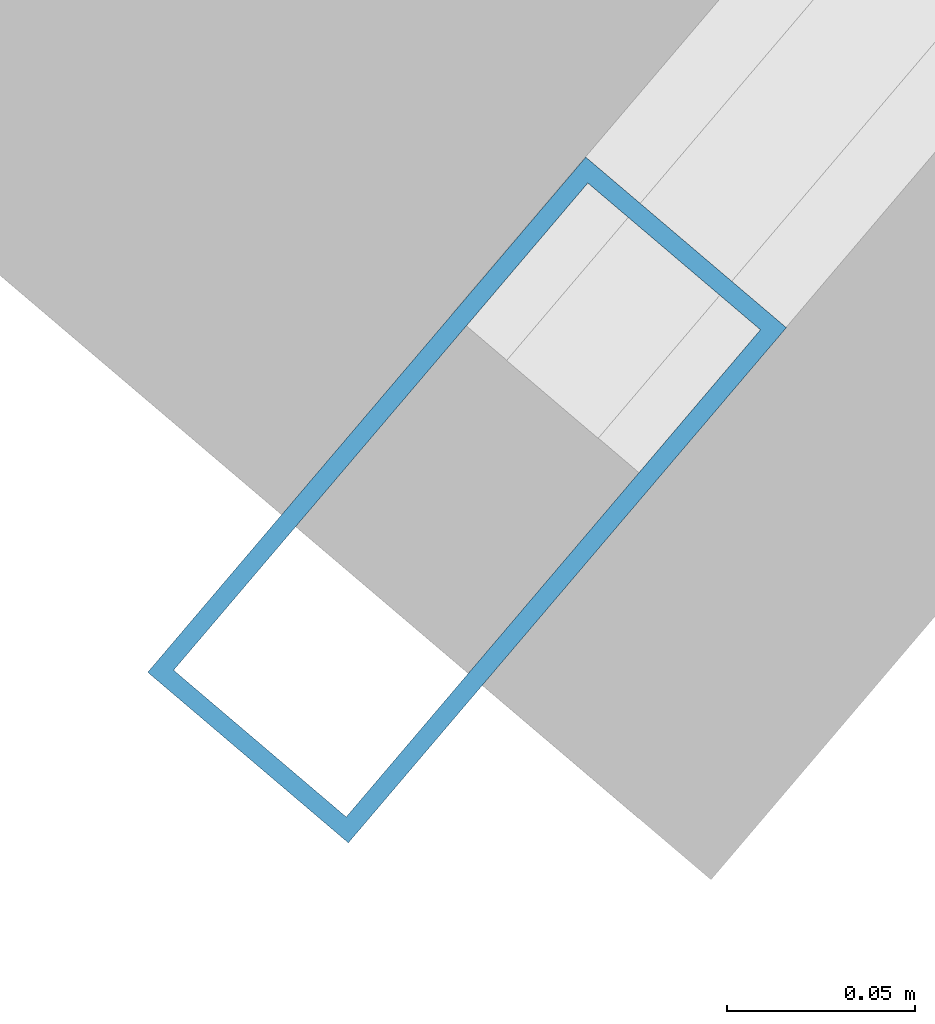
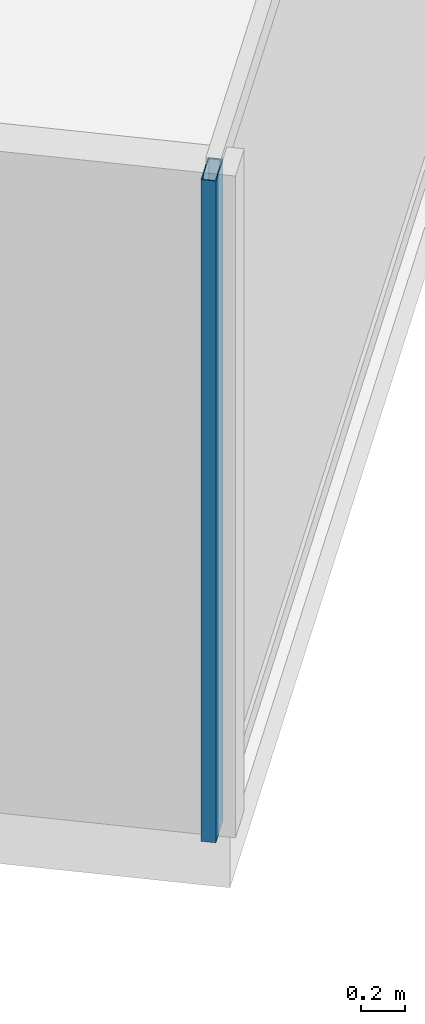
# One storey, part 4 of 26: 1 member, 1 element without a shape of its own.
"""IFC4 building model written with IfcOpenShell, lengths in metres."""

import ifcopenshell
import ifcopenshell.guid

model = None  # the IFC model being written
_history = None  # IfcOwnerHistory: only IFC2X3 demands one
_inside = {}  # id of a spatial element -> (the spatial element, [elements in it])
_under = {}  # id of a project, library or spatial element -> (it, [spatial elements below it])
_declared = {}  # id of a project -> (the project, [libraries it declares])
_typed = {}  # id of a type object -> (the type object, [elements of that type])
_made_of = {}  # id of a material, layer set ... -> (it, [elements and type objects made of it])


def new_model(schema):
    """Start an empty IFC model of exactly this schema.

    Asked for "IFC4X3", IfcOpenShell would pick the latest addendum, in which some entities
    have other attributes; the version numbers below select the first issue.
    IFC2X3 requires an IfcOwnerHistory on every rooted entity: one is made here for all.
    """
    global model, _history
    if schema == "IFC4X3":
        model = ifcopenshell.file(schema_version=(4, 3, 0, 0))
    else:
        model = ifcopenshell.file(schema=schema)
    _inside.clear()
    _under.clear()
    _declared.clear()
    _typed.clear()
    _made_of.clear()
    _history = None
    if model.schema == "IFC2X3":
        org = make("IfcOrganization", Name="unknown")
        user = make(
            "IfcPersonAndOrganization",
            ThePerson=make("IfcPerson", FamilyName="unknown"),
            TheOrganization=org,
        )
        app = make(
            "IfcApplication",
            ApplicationDeveloper=org,
            Version="unknown",
            ApplicationFullName="unknown",
            ApplicationIdentifier="unknown",
        )
        _history = make(
            "IfcOwnerHistory",
            OwningUser=user,
            OwningApplication=app,
            ChangeAction="ADDED",
            CreationDate=0,
        )
    return model


def make(cls, **values):
    """One entity of the class cls with the attributes given. An attribute that is None is left unset."""
    return model.create_entity(
        cls, **{name: value for name, value in values.items() if value is not None}
    )


def rooted(cls, **values):
    """An entity with a GlobalId (a new one), such as an element, a storey or a relation."""
    return make(cls, GlobalId=ifcopenshell.guid.new(), OwnerHistory=_history, **values)


def si_unit(unit_type, name, prefix=None):
    """IfcSIUnit, for example si_unit("LENGTHUNIT", "METRE", prefix="MILLI")."""
    return make("IfcSIUnit", UnitType=unit_type, Prefix=prefix, Name=name)


def assignment(units):
    """IfcUnitAssignment: the units of a project."""
    return None if units is None else make("IfcUnitAssignment", Units=units)


def point(xyz):
    """IfcCartesianPoint."""
    return None if xyz is None else make("IfcCartesianPoint", Coordinates=xyz)


def direction(xyz):
    """IfcDirection."""
    return None if xyz is None else make("IfcDirection", DirectionRatios=xyz)


def frame(location, z_axis=None, x_axis=None):
    """IfcAxis2Placement3D, a coordinate frame: its origin and axes. An axis left out is left unset."""
    return make(
        "IfcAxis2Placement3D",
        Location=point(location),
        Axis=direction(z_axis),
        RefDirection=direction(x_axis),
    )


def frame_2d(location, x_axis=None):
    """IfcAxis2Placement2D, a coordinate frame in the plane: its origin and x axis."""
    return make(
        "IfcAxis2Placement2D", Location=point(location), RefDirection=direction(x_axis)
    )


def origin():
    """The frame at (0, 0, 0) with its axes left unset."""
    return frame((0.0, 0.0, 0.0))


def origin_2d():
    """The frame at (0, 0) in the plane with its x axis left unset."""
    return frame_2d((0.0, 0.0))


def place(relative_to, where):
    """IfcLocalPlacement: puts the frame where relative to a parent placement (None: the world)."""
    return make(
        "IfcLocalPlacement", PlacementRelTo=relative_to, RelativePlacement=where
    )


def context(
    kind, dimensions, precision=None, world=None, true_north=None, identifier=None
):
    """IfcGeometricRepresentationContext, for example the 3D "Model" context."""
    return make(
        "IfcGeometricRepresentationContext",
        ContextIdentifier=identifier,
        ContextType=kind,
        CoordinateSpaceDimension=dimensions,
        Precision=precision,
        WorldCoordinateSystem=world,
        TrueNorth=true_north,
    )


def subcontext(parent, identifier, kind, view, scale=None):
    """IfcGeometricRepresentationSubContext, for example "Body" below "Model"."""
    return make(
        "IfcGeometricRepresentationSubContext",
        ContextIdentifier=identifier,
        ContextType=kind,
        ParentContext=parent,
        TargetScale=scale,
        TargetView=view,
    )


def project(units=None, contexts=None):
    """IfcProject with its units and contexts."""
    return rooted(
        "IfcProject",
        Name="project",
        RepresentationContexts=contexts,
        UnitsInContext=assignment(units),
    )


def spatial(cls, under=None, at=None, **own):
    """A site, building, storey or space (cls), placed at a placement, below another one or the project."""
    s = rooted(cls, ObjectPlacement=at, **own)
    if under is not None:
        _under.setdefault(under.id(), (under, []))[1].append(s)
    return s


def profile(cls, at=None, kind="AREA", **sizes):
    """A parametric profile (cls). Its sizes go by their IFC names, for example OverallWidth=200.0."""
    return make(cls, ProfileType=kind, Position=at, **sizes)


def hollow_rectangle(**sizes):
    """IfcRectangleHollowProfileDef."""
    return profile("IfcRectangleHollowProfileDef", **sizes)


def extrude(swept, where, along, depth):
    """IfcExtrudedAreaSolid: the profile swept, set in the frame where, extruded along a direction by depth."""
    return make(
        "IfcExtrudedAreaSolid",
        SweptArea=swept,
        Position=where,
        ExtrudedDirection=direction(along),
        Depth=depth,
    )


def shape(context_of_items, identifier, shape_type, items):
    """IfcShapeRepresentation: the items that make up one representation, for example the "Body"."""
    return make(
        "IfcShapeRepresentation",
        ContextOfItems=context_of_items,
        RepresentationIdentifier=identifier,
        RepresentationType=shape_type,
        Items=items,
    )


def source(mapping_origin, context_of_items, identifier, shape_type, items):
    """IfcRepresentationMap: a shape defined once, which mapped items show again and again."""
    return make(
        "IfcRepresentationMap",
        MappingOrigin=mapping_origin,
        MappedRepresentation=shape(context_of_items, identifier, shape_type, items),
    )


def transform(
    local_origin,
    x_axis=None,
    y_axis=None,
    z_axis=None,
    scale=None,
    scale2=None,
    scale3=None,
    uniform=True,
):
    """IfcCartesianTransformationOperator3D, or its non-uniform kind. x_axis, y_axis, z_axis: its Axis1, 2, 3."""
    if uniform:
        return make(
            "IfcCartesianTransformationOperator3D",
            Axis1=direction(x_axis),
            Axis2=direction(y_axis),
            LocalOrigin=point(local_origin),
            Scale=scale,
            Axis3=direction(z_axis),
        )
    return make(
        "IfcCartesianTransformationOperator3DnonUniform",
        Axis1=direction(x_axis),
        Axis2=direction(y_axis),
        LocalOrigin=point(local_origin),
        Scale=scale,
        Axis3=direction(z_axis),
        Scale2=scale2,
        Scale3=scale3,
    )


def mapped(mapping_source, mapping_target):
    """IfcMappedItem: shows the shape of a source again, moved by a transform."""
    return make(
        "IfcMappedItem", MappingSource=mapping_source, MappingTarget=mapping_target
    )


def material(Name=None, Category=None):
    """IfcMaterial."""
    return make("IfcMaterial", Name=Name, Category=Category)


def material_profile(
    of_material, cross_section, Name=None, Category=None, Priority=None
):
    """IfcMaterialProfile: a cross section and its material."""
    return make(
        "IfcMaterialProfile",
        Name=Name,
        Material=of_material,
        Profile=cross_section,
        Priority=Priority,
        Category=Category,
    )


def profile_set(profiles, Name=None, composite=None):
    """IfcMaterialProfileSet."""
    return make(
        "IfcMaterialProfileSet",
        Name=Name,
        MaterialProfiles=profiles,
        CompositeProfile=composite,
    )


def made_of(thing, what):
    """Note that an element or type object is made of a material, layer set ...; save() writes the relation."""
    if what is not None:
        _made_of.setdefault(what.id(), (what, []))[1].append(thing)
    return thing


def type_object(cls, material=None, **own):
    """A type object (cls), such as IfcWallType, which elements share."""
    return made_of(rooted(cls, **own), material)


def type_shapes(of_type, sources):
    """Give a type object the sources (RepresentationMaps) that its elements show as mapped items."""
    of_type.RepresentationMaps = sources


def element(
    cls,
    number,
    at=None,
    inside=None,
    cuts=None,
    type_object=None,
    material=None,
    context=None,
    identifier="Body",
    shape_type=None,
    held_by="IfcProductDefinitionShape",
    body=None,
    shapes=None,
    **own,
):
    """One element of the class cls, such as IfcWall. Its Tag is "e" and its number.

    at: its placement. inside: the storey or other place that contains it. cuts: it is an
    opening in that element (IfcRelVoidsElement). A single representation is given by context,
    identifier, shape_type and body (its items); several are given by shapes. held_by: the class
    of the entity that holds the representations. save() writes the other relations.
    """
    e = rooted(cls, Tag="e%d" % number, ObjectPlacement=at, **own)
    if body is not None:
        shapes = [shape(context, identifier, shape_type, body)]
    if shapes is not None:
        e.Representation = make(held_by, Representations=shapes)
    if inside is not None:
        _inside.setdefault(inside.id(), (inside, []))[1].append(e)
    if cuts is not None:
        rooted(
            "IfcRelVoidsElement", RelatingBuildingElement=cuts, RelatedOpeningElement=e
        )
    if type_object is not None:
        _typed.setdefault(type_object.id(), (type_object, []))[1].append(e)
    return made_of(e, material)


def aggregate(whole, parts):
    """IfcRelAggregates: a whole, such as a stair, and the parts it consists of."""
    return rooted("IfcRelAggregates", RelatingObject=whole, RelatedObjects=parts)


def save(model, path):
    """Write the relations noted so far, then the file.

    IfcRelAggregates (storeys below a building ...), IfcRelContainedInSpatialStructure (elements
    in a storey), IfcRelDefinesByType, IfcRelAssociatesMaterial and IfcRelDeclares: one each for
    every whole, place, type object, material and project.
    """
    for whole, parts in _under.values():
        aggregate(whole, parts)
    for where, things in _inside.values():
        rooted(
            "IfcRelContainedInSpatialStructure",
            RelatedElements=things,
            RelatingStructure=where,
        )
    for kind, things in _typed.values():
        rooted("IfcRelDefinesByType", RelatedObjects=things, RelatingType=kind)
    for what, things in _made_of.values():
        rooted("IfcRelAssociatesMaterial", RelatedObjects=things, RelatingMaterial=what)
    for by, libraries in _declared.values():
        rooted("IfcRelDeclares", RelatingContext=by, RelatedDefinitions=libraries)
    model.write(path)


model = new_model("IFC4")

# Units and contexts
model_context = context("Model", 3, precision=1e-05, world=origin(), true_north=direction((0.0, 1.0)))
body_context = subcontext(model_context, "Body", "Model", "MODEL_VIEW")
ifc_project = project(units=[si_unit("LENGTHUNIT", "METRE"), si_unit("AREAUNIT", "SQUARE_METRE"), si_unit("VOLUMEUNIT", "CUBIC_METRE"), si_unit("PLANEANGLEUNIT", "RADIAN"), si_unit("MASSUNIT", "GRAM", prefix="KILO")], contexts=[model_context])

# Site, building, storey
site_placement = place(None, origin())
site = spatial("IfcSite", under=ifc_project, at=site_placement, CompositionType="ELEMENT")
building_placement = place(site_placement, origin())
building = spatial("IfcBuilding", under=site, at=building_placement, Name="Krantzveldt Concourse Tower", CompositionType="ELEMENT")
storey_placement = place(building_placement, frame((0.0, 0.0, 207.300048828125)))
storey = spatial("IfcBuildingStorey", under=building, at=storey_placement, Name="L50", CompositionType="ELEMENT", Elevation=207.300048828125)

# Curtain wall, member
ifc_material = material(Name="Anodised aluminium 6063-T6", Category="aluminium")
curtain_wall_type = type_object("IfcCurtainWallType", Name="CW3", PredefinedType="USERDEFINED", material=ifc_material)
curtain_wall_placement = place(storey_placement, origin())
curtain_wall = element("IfcCurtainWall", 1, at=curtain_wall_placement, inside=storey, type_object=curtain_wall_type, Name="CW-L50-F07", ObjectType="UNITISED CURTAIN WALL", PredefinedType="USERDEFINED")
ifc_material_profile = material_profile(ifc_material, hollow_rectangle(XDim=0.070068359375, YDim=0.179931640625, WallThickness=0.0048828125, at=origin_2d()), Name="Anodised aluminium 6063-T6", Category="aluminium")
ifc_profile_set = profile_set([ifc_material_profile], Name="Anodised aluminium 6063-T6 - ALU-MULL 180x70x5")
member_type = type_object("IfcMemberType", Name="CW-MUL-180", PredefinedType="MULLION", material=ifc_profile_set)
shared_shape = source(origin(), body_context, "Body", "SweptSolid", [
    extrude(hollow_rectangle(XDim=0.070068359375, YDim=0.179931640625, WallThickness=0.0048828125, at=origin_2d()), origin(), (0.0, 0.0, 1.0), 3.669921875),
])
type_shapes(member_type, [shared_shape])
member_placement = place(storey_placement, frame((41.53076171875, 1.697021484375, 0.0), z_axis=(0.0, 0.0, 1.0), x_axis=(-0.761820912327, 0.647787694805, 0.0)))
member = element("IfcMember", 2, at=member_placement, type_object=member_type, Name="CW-Z34 mullion 1", PredefinedType="MULLION", context=body_context, shape_type="MappedRepresentation", body=[
    mapped(shared_shape, transform((0.0, 0.0, 0.0), x_axis=(1.0, 0.0, 0.0), y_axis=(0.0, 1.0, 0.0), z_axis=(0.0, 0.0, 1.0), scale=1.0)),
])
aggregate(curtain_wall, [member])

save(model, "model.ifc")
